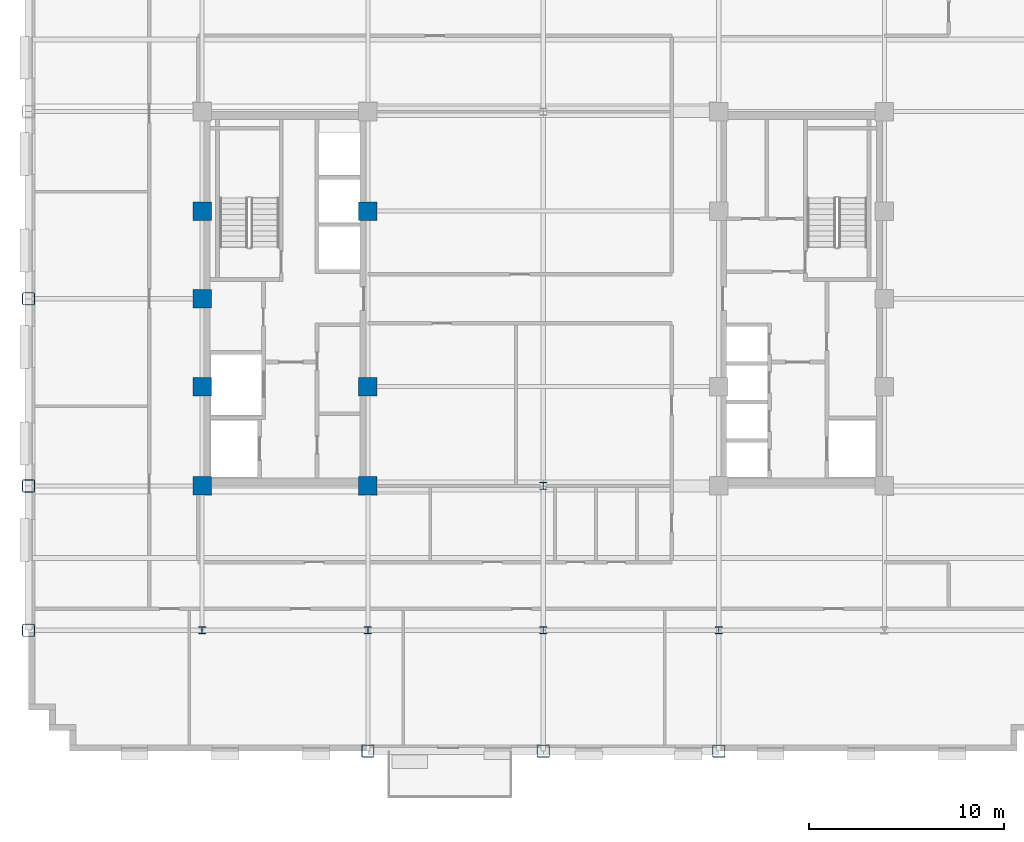
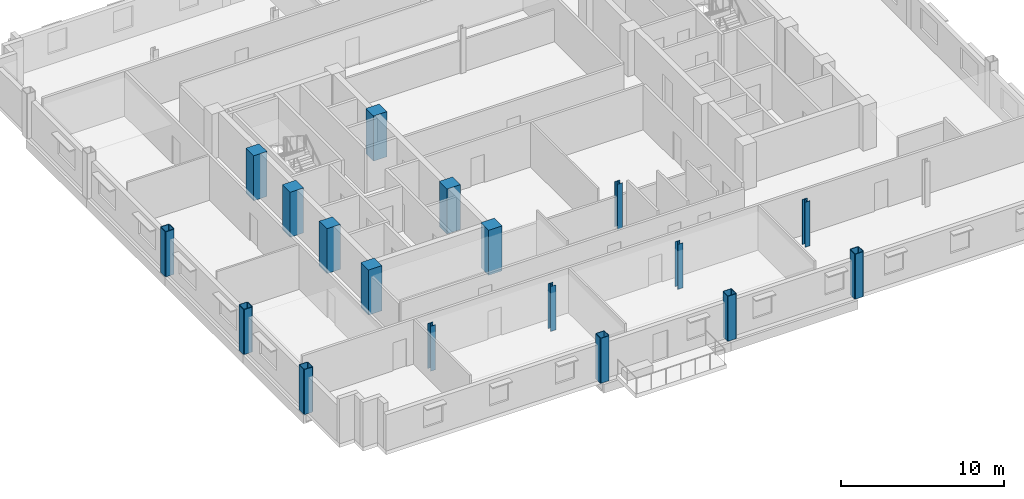
# One storey, part 1 of 13: 18 columns.
"""IFC4 building model written with IfcOpenShell, lengths in metres."""

from ifc_helpers import new_model, si_unit, direction, frame, origin, origin_2d, place, context, subcontext, project, spatial, rectangle, hollow_rectangle, i_section, extrude, material, material_profile, profile_set, type_object, element, save


model = new_model("IFC4")

# Units and contexts
model_context = context("Model", 3, precision=1e-05, world=origin(), true_north=direction((0.0, 1.0)))
body_context = subcontext(model_context, "Body", "Model", "MODEL_VIEW")
ifc_project = project(units=[si_unit("LENGTHUNIT", "METRE"), si_unit("AREAUNIT", "SQUARE_METRE"), si_unit("VOLUMEUNIT", "CUBIC_METRE"), si_unit("PLANEANGLEUNIT", "RADIAN"), si_unit("MASSUNIT", "GRAM", prefix="KILO")], contexts=[model_context])

# Site, building, storey
site_placement = place(None, origin())
site = spatial("IfcSite", under=ifc_project, at=site_placement, CompositionType="ELEMENT")
building_placement = place(site_placement, origin())
building = spatial("IfcBuilding", under=site, at=building_placement, Name="Nuvemarco Arch Tower", CompositionType="ELEMENT")
storey_placement = place(building_placement, frame((0.0, 0.0, 153.050048828125)))
storey = spatial("IfcBuildingStorey", under=building, at=storey_placement, Name="L40", CompositionType="ELEMENT", Elevation=153.050048828125)

# Columns
ifc_material_1 = material(Name="Concrete C50/60", Category="concrete")
ifc_material_profile_1 = material_profile(ifc_material_1, rectangle(XDim=0.949951171875, YDim=0.949951171875, at=origin_2d()), Name="RC-COL-950x950")
ifc_profile_set_1 = profile_set([ifc_material_profile_1], Name="Concrete C50/60")
column_type_1 = type_object("IfcColumnType", Name="COL-CORE-950", PredefinedType="COLUMN", material=ifc_profile_set_1)
for number, where, z_axis, x_axis, name in (
    (1, (-17.5, -9.60009765625, 0.0), (0.0, 0.0, 1.0), (1.0, 0.0, 0.0), "L40 column CC_-17.5_-9.6"),
    (2, (-17.5, -4.5, 0.0), (0.0, 0.0, 1.0), (1.0, 0.0, 0.0), "L40 column CC_-17.5_-4.5"),
    (3, (-17.5, 4.5, 0.0), (0.0, 0.0, 1.0), (1.0, 0.0, 0.0), "L40 column CC_-17.5_+4.5"),
    (4, (-9.0, -9.60009765625, 0.0), (0.0, 0.0, 1.0), (1.0, 0.0, 0.0), "L40 column CC_-9.0_-9.6"),
    (5, (-9.0, -4.5, 0.0), (0.0, 0.0, 1.0), (1.0, 0.0, 0.0), "L40 column CC_-9.0_-4.5"),
    (6, (-9.0, 4.5, 0.0), (0.0, 0.0, 1.0), (1.0, 0.0, 0.0), "L40 column CC_-9.0_+4.5"),
    (7, (-17.5, 0.0, 0.0), (0.0, 0.0, 1.0), (1.0, 0.0, 0.0), "L40 column CC_-17.5_+0.0"),
):
    element("IfcColumn", number, at=place(storey_placement, frame(where, z_axis=z_axis, x_axis=x_axis)), inside=storey, type_object=column_type_1, Name=name, PredefinedType="COLUMN", context=body_context, shape_type="SweptSolid", body=[
        extrude(rectangle(XDim=0.949951171875, YDim=0.949951171875, at=origin_2d()), origin(), (0.0, 0.0, 1.0), 3.369873046875),
    ])
ifc_material_2 = material(Name="Steel S355", Category="steel")
ifc_material_profile_2 = material_profile(ifc_material_2, hollow_rectangle(XDim=0.64990234375, YDim=0.64990234375, WallThickness=0.0400390625, InnerFilletRadius=0.0400390625, OuterFilletRadius=0.080078125, at=origin_2d()), Name="SHS650x650x40")
ifc_profile_set_2 = profile_set([ifc_material_profile_2], Name="Steel S355")
column_type_2 = type_object("IfcColumnType", Name="COL-EXO-650", PredefinedType="COLUMN", material=ifc_profile_set_2)
for number, where, z_axis, x_axis, name in (
    (8, (-26.39990234375, -17.0, 0.0), (0.0, 0.0, 1.0), (1.0, 0.0, 0.0), "L40 column CX_-26.4_-17.0"),
    (9, (-26.39990234375, -9.60009765625, 0.0), (0.0, 0.0, 1.0), (1.0, 0.0, 0.0), "L40 column CX_-26.4_-9.6"),
    (10, (-26.39990234375, 0.0, 0.0), (0.0, 0.0, 1.0), (1.0, 0.0, 0.0), "L40 column CX_-26.4_+0.0"),
    (11, (-9.0, -23.199951171875, 0.0), (0.0, 0.0, 1.0), (1.0, 0.0, 0.0), "L40 column CY_-9.0_-23.2"),
    (12, (0.0, -23.199951171875, 0.0), (0.0, 0.0, 1.0), (1.0, 0.0, 0.0), "L40 column CY_+0.0_-23.2"),
    (13, (9.0, -23.199951171875, 0.0), (0.0, 0.0, 1.0), (1.0, 0.0, 0.0), "L40 column CY_+9.0_-23.2"),
):
    element("IfcColumn", number, at=place(storey_placement, frame(where, z_axis=z_axis, x_axis=x_axis)), inside=storey, type_object=column_type_2, Name=name, PredefinedType="COLUMN", context=body_context, shape_type="SweptSolid", body=[
        extrude(hollow_rectangle(XDim=0.64990234375, YDim=0.64990234375, WallThickness=0.0400390625, InnerFilletRadius=0.0400390625, OuterFilletRadius=0.080078125, at=origin_2d()), origin(), (0.0, 0.0, 1.0), 3.369873046875),
    ])
ifc_material_profile_3 = material_profile(ifc_material_2, i_section(OverallWidth=0.360107421875, OverallDepth=0.360107421875, WebThickness=0.0205078125, FlangeThickness=0.0205078125, FilletRadius=0.01806640625, at=origin_2d()), Name="HP360x174")
ifc_profile_set_3 = profile_set([ifc_material_profile_3], Name="Steel S355")
column_type_3 = type_object("IfcColumnType", Name="COL-STL-HP360", PredefinedType="COLUMN", material=ifc_profile_set_3)
for number, where, z_axis, x_axis, name in (
    (14, (0.0, -17.0, 0.0), (0.0, 0.0, 1.0), (1.0, 0.0, 0.0), "L40 column CI_+0.0_-17.0"),
    (15, (0.0, -9.60009765625, 0.0), (0.0, 0.0, 1.0), (1.0, 0.0, 0.0), "L40 column CI_+0.0_-9.6"),
    (16, (-17.5, -17.0, 0.0), (0.0, 0.0, 1.0), (1.0, 0.0, 0.0), "L40 column CI_-17.5_-17.0"),
    (17, (-9.0, -17.0, 0.0), (0.0, 0.0, 1.0), (1.0, 0.0, 0.0), "L40 column CI_-9.0_-17.0"),
    (18, (9.0, -17.0, 0.0), (0.0, 0.0, 1.0), (1.0, 0.0, 0.0), "L40 column CI_+9.0_-17.0"),
):
    element("IfcColumn", number, at=place(storey_placement, frame(where, z_axis=z_axis, x_axis=x_axis)), inside=storey, type_object=column_type_3, Name=name, PredefinedType="COLUMN", context=body_context, shape_type="SweptSolid", body=[
        extrude(i_section(OverallWidth=0.360107421875, OverallDepth=0.360107421875, WebThickness=0.0205078125, FlangeThickness=0.0205078125, FilletRadius=0.01806640625, at=origin_2d()), origin(), (0.0, 0.0, 1.0), 3.369873046875),
    ])

save(model, "model.ifc")
